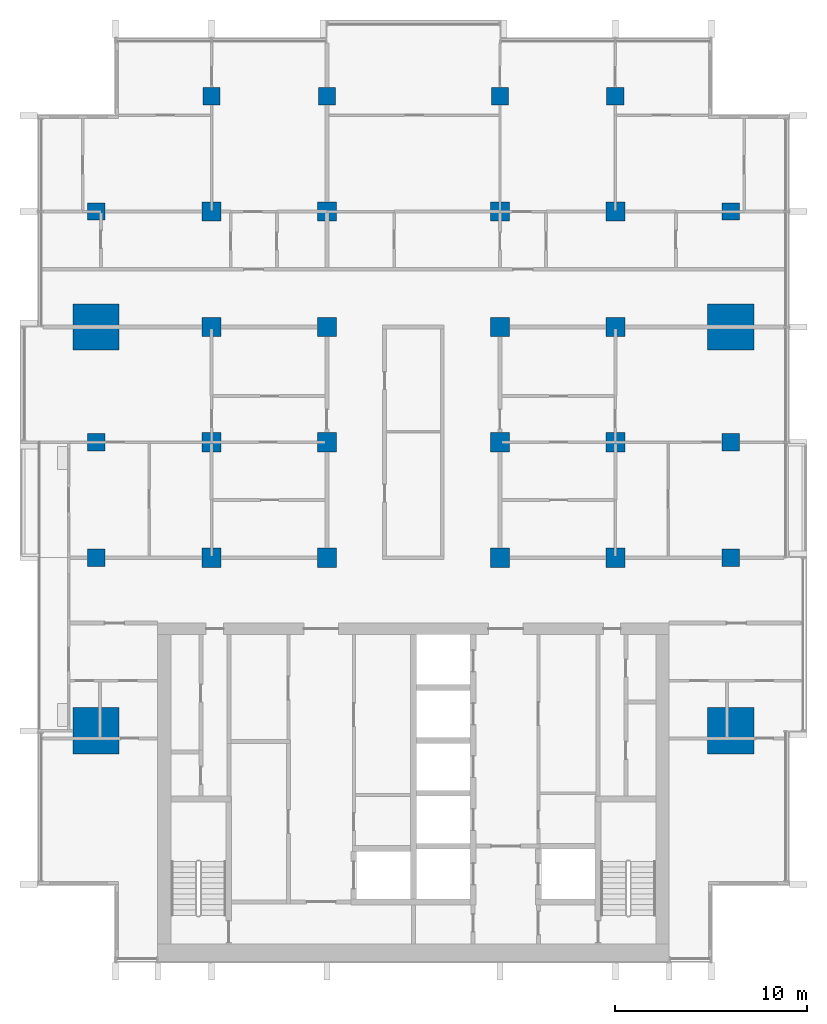
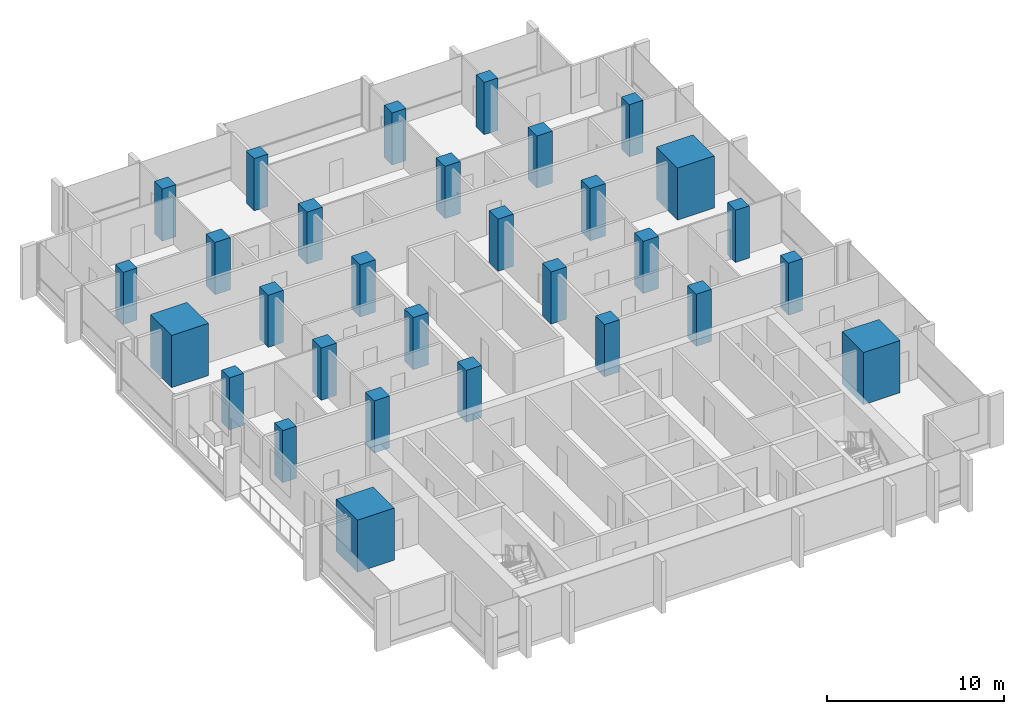
# One storey, part 1 of 17: 30 columns.
"""IFC4 building model written with IfcOpenShell, lengths in metres."""

from ifc_helpers import new_model, si_unit, direction, frame, origin, origin_2d, place, context, subcontext, project, spatial, rectangle, extrude, material, material_profile, profile_set, type_object, element, save


model = new_model("IFC4")

# Units and contexts
model_context = context("Model", 3, precision=1e-05, world=origin(), true_north=direction((0.0, 1.0)))
body_context = subcontext(model_context, "Body", "Model", "MODEL_VIEW")
ifc_project = project(units=[si_unit("LENGTHUNIT", "METRE"), si_unit("AREAUNIT", "SQUARE_METRE"), si_unit("VOLUMEUNIT", "CUBIC_METRE"), si_unit("PLANEANGLEUNIT", "RADIAN"), si_unit("MASSUNIT", "GRAM", prefix="KILO")], contexts=[model_context])

# Site, building, storey
site_placement = place(None, origin())
site = spatial("IfcSite", under=ifc_project, at=site_placement, CompositionType="ELEMENT")
building_placement = place(site_placement, origin())
building = spatial("IfcBuilding", under=site, at=building_placement, Name="Finial Court Residences", CompositionType="ELEMENT")
storey_placement = place(building_placement, frame((0.0, 0.0, 174.5)))
storey = spatial("IfcBuildingStorey", under=building, at=storey_placement, Name="L43", CompositionType="ELEMENT", Elevation=174.5)

# Columns
ifc_material = material(Name="Concrete C60/75", Category="concrete")
ifc_material_profile_1 = material_profile(ifc_material, rectangle(XDim=1.0, YDim=1.0, at=origin_2d()), Name="1000x1000")
ifc_profile_set_1 = profile_set([ifc_material_profile_1], Name="Concrete C60/75")
column_type_1 = type_object("IfcColumnType", Name="Interior column 1000x1000 Concrete C60/75", PredefinedType="COLUMN", material=ifc_profile_set_1)
for number, where, z_axis, x_axis, name in (
    (1, (-10.5, -4.5, 0.0), (0.0, 0.0, 1.0), (1.0, 0.0, 0.0), "S:COL:L43:D4"),
    (2, (-10.5, 1.5, 0.0), (0.0, 0.0, 1.0), (1.0, 0.0, 0.0), "S:COL:L43:D5"),
    (3, (-10.5, 7.5, 0.0), (0.0, 0.0, 1.0), (1.0, 0.0, 0.0), "S:COL:L43:D6"),
    (4, (-10.5, 13.5, 0.0), (0.0, 0.0, 1.0), (1.0, 0.0, 0.0), "S:COL:L43:D7"),
    (5, (-4.5, -4.5, 0.0), (0.0, 0.0, 1.0), (1.0, 0.0, 0.0), "S:COL:L43:E4"),
    (6, (-4.5, 1.5, 0.0), (0.0, 0.0, 1.0), (1.0, 0.0, 0.0), "S:COL:L43:E5"),
    (7, (-4.5, 7.5, 0.0), (0.0, 0.0, 1.0), (1.0, 0.0, 0.0), "S:COL:L43:E6"),
    (8, (-4.5, 13.5, 0.0), (0.0, 0.0, 1.0), (1.0, 0.0, 0.0), "S:COL:L43:E7"),
    (9, (4.5, -4.5, 0.0), (0.0, 0.0, 1.0), (1.0, 0.0, 0.0), "S:COL:L43:F4"),
    (10, (4.5, 1.5, 0.0), (0.0, 0.0, 1.0), (1.0, 0.0, 0.0), "S:COL:L43:F5"),
    (11, (4.5, 7.5, 0.0), (0.0, 0.0, 1.0), (1.0, 0.0, 0.0), "S:COL:L43:F6"),
    (12, (4.5, 13.5, 0.0), (0.0, 0.0, 1.0), (1.0, 0.0, 0.0), "S:COL:L43:F7"),
    (13, (10.5, -4.5, 0.0), (0.0, 0.0, 1.0), (1.0, 0.0, 0.0), "S:COL:L43:G4"),
    (14, (10.5, 1.5, 0.0), (0.0, 0.0, 1.0), (1.0, 0.0, 0.0), "S:COL:L43:G5"),
    (15, (10.5, 7.5, 0.0), (0.0, 0.0, 1.0), (1.0, 0.0, 0.0), "S:COL:L43:G6"),
    (16, (10.5, 13.5, 0.0), (0.0, 0.0, 1.0), (1.0, 0.0, 0.0), "S:COL:L43:G7"),
):
    element("IfcColumn", number, at=place(storey_placement, frame(where, z_axis=z_axis, x_axis=x_axis)), inside=storey, type_object=column_type_1, Name=name, PredefinedType="COLUMN", context=body_context, shape_type="SweptSolid", body=[
        extrude(rectangle(XDim=1.0, YDim=1.0, at=origin_2d()), origin(), (0.0, 0.0, 1.0), 3.60009765625),
    ])
ifc_material_profile_2 = material_profile(ifc_material, rectangle(XDim=2.39990234375, YDim=2.39990234375, at=origin_2d()), Name="2400x2400")
ifc_profile_set_2 = profile_set([ifc_material_profile_2], Name="Concrete C60/75")
column_type_2 = type_object("IfcColumnType", Name="Mega column 2400x2400 Concrete C60/75", PredefinedType="COLUMN", material=ifc_profile_set_2)
for number, where, z_axis, x_axis, name in (
    (17, (-16.5, -13.5, 0.0), (0.0, 0.0, 1.0), (1.0, 0.0, 0.0), "S:COL:L43:C3"),
    (18, (-16.5, 7.5, 0.0), (0.0, 0.0, 1.0), (1.0, 0.0, 0.0), "S:COL:L43:C6"),
    (19, (16.5, -13.5, 0.0), (0.0, 0.0, 1.0), (1.0, 0.0, 0.0), "S:COL:L43:H3"),
    (20, (16.5, 7.5, 0.0), (0.0, 0.0, 1.0), (1.0, 0.0, 0.0), "S:COL:L43:H6"),
):
    element("IfcColumn", number, at=place(storey_placement, frame(where, z_axis=z_axis, x_axis=x_axis)), inside=storey, type_object=column_type_2, Name=name, PredefinedType="COLUMN", context=body_context, shape_type="SweptSolid", body=[
        extrude(rectangle(XDim=2.39990234375, YDim=2.39990234375, at=origin_2d()), origin(), (0.0, 0.0, 1.0), 3.60009765625),
    ])
ifc_material_profile_3 = material_profile(ifc_material, rectangle(XDim=0.89990234375, YDim=0.89990234375, at=origin_2d()), Name="900x900")
ifc_profile_set_3 = profile_set([ifc_material_profile_3], Name="Concrete C60/75")
column_type_3 = type_object("IfcColumnType", Name="Perimeter column 900x900 Concrete C60/75", PredefinedType="COLUMN", material=ifc_profile_set_3)
for number, where, z_axis, x_axis, name in (
    (21, (-16.5, -4.5, 0.0), (0.0, 0.0, 1.0), (1.0, 0.0, 0.0), "S:COL:L43:C4"),
    (22, (-16.5, 1.5, 0.0), (0.0, 0.0, 1.0), (1.0, 0.0, 0.0), "S:COL:L43:C5"),
    (23, (-16.5, 13.5, 0.0), (0.0, 0.0, 1.0), (1.0, 0.0, 0.0), "S:COL:L43:C7"),
    (24, (-10.5, 19.5, 0.0), (0.0, 0.0, 1.0), (1.0, 0.0, 0.0), "S:COL:L43:D8"),
    (25, (-4.5, 19.5, 0.0), (0.0, 0.0, 1.0), (1.0, 0.0, 0.0), "S:COL:L43:E8"),
    (26, (4.5, 19.5, 0.0), (0.0, 0.0, 1.0), (1.0, 0.0, 0.0), "S:COL:L43:F8"),
    (27, (10.5, 19.5, 0.0), (0.0, 0.0, 1.0), (1.0, 0.0, 0.0), "S:COL:L43:G8"),
    (28, (16.5, -4.5, 0.0), (0.0, 0.0, 1.0), (1.0, 0.0, 0.0), "S:COL:L43:H4"),
    (29, (16.5, 1.5, 0.0), (0.0, 0.0, 1.0), (1.0, 0.0, 0.0), "S:COL:L43:H5"),
    (30, (16.5, 13.5, 0.0), (0.0, 0.0, 1.0), (1.0, 0.0, 0.0), "S:COL:L43:H7"),
):
    element("IfcColumn", number, at=place(storey_placement, frame(where, z_axis=z_axis, x_axis=x_axis)), inside=storey, type_object=column_type_3, Name=name, PredefinedType="COLUMN", context=body_context, shape_type="SweptSolid", body=[
        extrude(rectangle(XDim=0.89990234375, YDim=0.89990234375, at=origin_2d()), origin(), (0.0, 0.0, 1.0), 3.60009765625),
    ])

save(model, "model.ifc")
